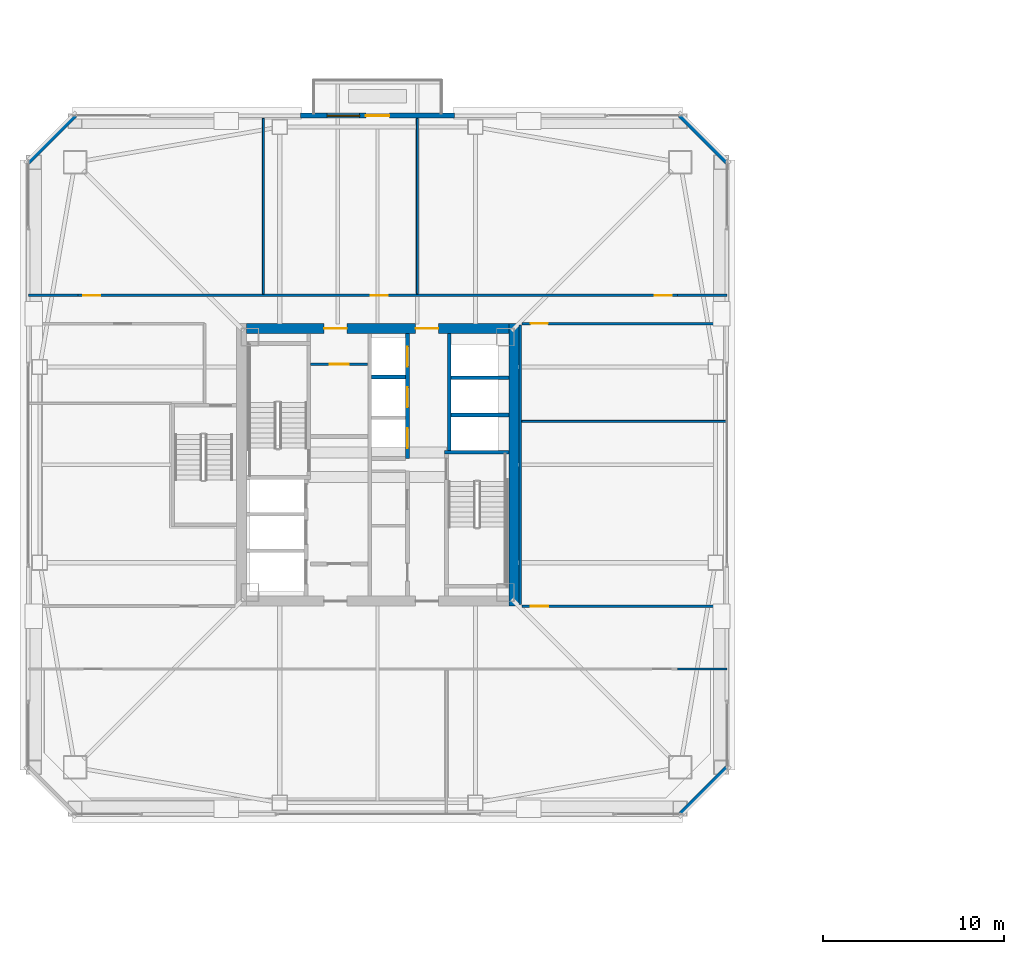
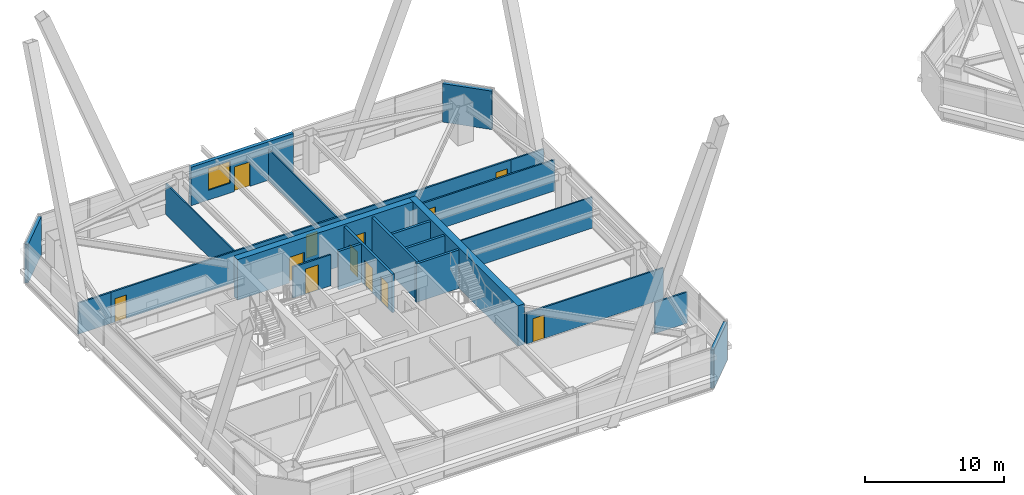
# One storey, part 45 of 54: 23 walls, 12 doors, 1 window, 13 openings.
"""IFC4 building model written with IfcOpenShell, lengths in metres."""

from ifc_helpers import new_model, si_unit, direction, frame, frame_2d, origin, place, context, subcontext, project, spatial, rectangle, extrude, material, layer, layer_set, type_object, element, fill, save


model = new_model("IFC4")

# Units and contexts
model_context = context("Model", 3, precision=1e-05, world=origin(), true_north=direction((0.0, 1.0)))
body_context = subcontext(model_context, "Body", "Model", "MODEL_VIEW")
ifc_project = project(units=[si_unit("LENGTHUNIT", "METRE"), si_unit("AREAUNIT", "SQUARE_METRE"), si_unit("VOLUMEUNIT", "CUBIC_METRE"), si_unit("PLANEANGLEUNIT", "RADIAN"), si_unit("MASSUNIT", "GRAM", prefix="KILO")], contexts=[model_context])

# Site, building, storey
site_placement = place(None, origin())
site = spatial("IfcSite", under=ifc_project, at=site_placement, CompositionType="ELEMENT")
building_placement = place(site_placement, origin())
building = spatial("IfcBuilding", under=site, at=building_placement, Name="Tashvorn Skyway Center", CompositionType="ELEMENT")
storey_placement = place(building_placement, frame((0.0, 0.0, 135.699951171875)))
storey = spatial("IfcBuildingStorey", under=building, at=storey_placement, Name="L36", CompositionType="ELEMENT", Elevation=135.699951171875)

# Wall
ifc_material_1 = material(Name="Concrete C60/75", Category="concrete")
ifc_layer_1 = layer(ifc_material_1, 0.550048828125)
ifc_layer_set_1 = layer_set([ifc_layer_1], Name="Concrete C60/75")
wall_type_1 = type_object("IfcWallType", Name="WALL-CORE-550", PredefinedType="SHEAR", material=ifc_layer_set_1)
wall_1_placement = place(storey_placement, frame((49.52490234375, 39.800048828125, 0.0), z_axis=(0.0, 0.0, 1.0), x_axis=(0.0, -1.0, 0.0)))
element("IfcWall", 1, at=wall_1_placement, inside=storey, type_object=wall_type_1, Name="Tower 1 L36 East Core Shear Wall", PredefinedType="SHEAR", context=body_context, shape_type="SweptSolid", body=[
    extrude(rectangle(XDim=15.60009765625, YDim=0.550048828125, at=frame_2d((7.800048828125, 0.0))), origin(), (0.0, 0.0, 1.0), 3.550048828125),
])

# Wall, openings, doors
wall_2_placement = place(storey_placement, frame((34.75, 39.52490234375, 0.0), z_axis=(0.0, 0.0, 1.0), x_axis=(1.0, 0.0, 0.0)))
wall_2 = element("IfcWall", 2, at=wall_2_placement, inside=storey, type_object=wall_type_1, Name="Tower 1 L36 North Core Shear Wall", PredefinedType="SHEAR", context=body_context, shape_type="SweptSolid", body=[
    extrude(rectangle(XDim=14.5, YDim=0.550048828125, at=frame_2d((7.25, 0.0))), origin(), (0.0, 0.0, 1.0), 3.550048828125),
])
opening_1_placement = place(wall_2_placement, frame((4.300048828125, 0.0, 0.0)))
opening_1 = element("IfcOpeningElement", 3, at=opening_1_placement, cuts=wall_2, Name="Opening D-FFL-1250", PredefinedType="OPENING", context=body_context, shape_type="SweptSolid", body=[
    extrude(rectangle(XDim=1.25, YDim=2.25, at=frame_2d((0.625, 1.125))), frame((0.0, 0.284912109375, 0.0), z_axis=(0.0, -1.0, 0.0), x_axis=(1.0, 0.0, 0.0)), (0.0, 0.0, 1.0), 0.570068359375),
])
opening_2_placement = place(wall_2_placement, frame((9.35009765625, 0.0, 0.0)))
opening_2 = element("IfcOpeningElement", 4, at=opening_2_placement, cuts=wall_2, Name="Opening D-FFL-1250", PredefinedType="OPENING", context=body_context, shape_type="SweptSolid", body=[
    extrude(rectangle(XDim=1.25, YDim=2.25, at=frame_2d((0.625, 1.125))), frame((0.0, 0.284912109375, 0.0), z_axis=(0.0, -1.0, 0.0), x_axis=(1.0, 0.0, 0.0)), (0.0, 0.0, 1.0), 0.570068359375),
])
ifc_material_2 = material(Name="Hollow galvanized steel fire door assembly", Category="steel")
door_type_1 = type_object("IfcDoorType", Name="DOOR-FFL-1250", OperationType="NOTDEFINED", PredefinedType="DOOR", material=ifc_material_2)
door_1_placement = place(opening_1_placement, origin())
door_1 = element("IfcDoor", 5, at=door_1_placement, inside=storey, type_object=door_type_1, Name="Tower 1 L36 Core North Service Lobby Door", OperationType="SINGLE_SWING_LEFT", OverallHeight=2.25, OverallWidth=1.25, PredefinedType="DOOR", context=body_context, shape_type="SweptSolid", body=[
    extrude(rectangle(XDim=1.25, YDim=2.25, at=frame_2d((0.625, 1.125))), frame((0.0, 0.02490234375, 0.0), z_axis=(0.0, -1.0, 0.0), x_axis=(1.0, 0.0, 0.0)), (0.0, 0.0, 1.0), 0.050048828125),
])
fill(opening_1, door_1)
door_2_placement = place(opening_2_placement, origin())
door_2 = element("IfcDoor", 6, at=door_2_placement, inside=storey, type_object=door_type_1, Name="Tower 1 L36 Core North Lift Lobby Door", OperationType="SINGLE_SWING_RIGHT", OverallHeight=2.25, OverallWidth=1.25, PredefinedType="DOOR", context=body_context, shape_type="SweptSolid", body=[
    extrude(rectangle(XDim=1.25, YDim=2.25, at=frame_2d((0.625, 1.125))), frame((0.0, 0.02490234375, 0.0), z_axis=(0.0, -1.0, 0.0), x_axis=(1.0, 0.0, 0.0)), (0.0, 0.0, 1.0), 0.050048828125),
])
fill(opening_2, door_2)

# Wall, openings, door, window
ifc_material_3 = material(Name="Precast concrete C40/50", Category="concrete")
ifc_layer_2 = layer(ifc_material_3, 0.280029296875)
ifc_layer_set_2 = layer_set([ifc_layer_2], Name="Precast concrete C40/50")
wall_type_2 = type_object("IfcWallType", Name="WALL-EXT-280", PredefinedType="SOLIDWALL", material=ifc_layer_set_2)
wall_3_placement = place(storey_placement, frame((37.75, 51.280029296875, 0.0), z_axis=(0.0, 0.0, 1.0), x_axis=(1.0, 0.0, 0.0)))
wall_3 = element("IfcWall", 7, at=wall_3_placement, inside=storey, type_object=wall_type_2, Name="Tower 1 L36 North Terrace Portal Wall", PredefinedType="SOLIDWALL", context=body_context, shape_type="SweptSolid", body=[
    extrude(rectangle(XDim=8.5, YDim=0.280029296875, at=frame_2d((4.25, 0.0))), origin(), (0.0, 0.0, 1.0), 3.3701171875),
])
opening_3_placement = place(wall_3_placement, frame((3.60009765625, 0.0, 0.0)))
opening_3 = element("IfcOpeningElement", 8, at=opening_3_placement, cuts=wall_3, Name="Opening D-TER-1300", PredefinedType="OPENING", context=body_context, shape_type="SweptSolid", body=[
    extrude(rectangle(XDim=1.300048828125, YDim=2.14990234375, at=frame_2d((0.64990234375, 1.074951171875))), frame((0.0, 0.14990234375, 0.0), z_axis=(0.0, -1.0, 0.0), x_axis=(1.0, 0.0, 0.0)), (0.0, 0.0, 1.0), 0.300048828125),
])
opening_4_placement = place(wall_3_placement, frame((1.4599609375, 0.0, 0.85009765625)))
opening_4 = element("IfcOpeningElement", 9, at=opening_4_placement, cuts=wall_3, Name="Opening WIN-1800", PredefinedType="OPENING", context=body_context, shape_type="SweptSolid", body=[
    extrude(rectangle(XDim=1.800048828125, YDim=1.919921875, at=frame_2d((0.89990234375, 0.9599609375))), frame((0.0, 0.14990234375, 0.0), z_axis=(0.0, -1.0, 0.0), x_axis=(1.0, 0.0, 0.0)), (0.0, 0.0, 1.0), 0.300048828125),
])
ifc_material_4 = material(Name="Thermally broken bronze-anodized aluminium 6063-T6", Category="aluminium")
door_type_2 = type_object("IfcDoorType", Name="DOOR-TERR-1300", OperationType="NOTDEFINED", PredefinedType="DOOR", material=ifc_material_4)
door_3_placement = place(opening_3_placement, origin())
door_3 = element("IfcDoor", 10, at=door_3_placement, inside=storey, type_object=door_type_2, Name="Tower 1 L36 Terrace Access Door", OperationType="SINGLE_SWING_RIGHT", OverallHeight=2.14990234375, OverallWidth=1.300048828125, PredefinedType="DOOR", context=body_context, shape_type="SweptSolid", body=[
    extrude(rectangle(XDim=1.300048828125, YDim=2.14990234375, at=frame_2d((0.64990234375, 1.074951171875))), frame((0.0, 0.02490234375, 0.0), z_axis=(0.0, -1.0, 0.0), x_axis=(1.0, 0.0, 0.0)), (0.0, 0.0, 1.0), 0.050048828125),
])
fill(opening_3, door_3)
ifc_material_5 = material(Name="Low-E solar-control double insulating safety glass", Category="glass")
window_type = type_object("IfcWindowType", Name="WIN-TERR-1800", PartitioningType="SINGLE_PANEL", PredefinedType="WINDOW", material=ifc_material_5)
window_placement = place(opening_4_placement, origin())
window = element("IfcWindow", 11, at=window_placement, inside=storey, type_object=window_type, Name="Tower 1 L36 Terrace Window", OverallHeight=1.919921875, OverallWidth=1.800048828125, PartitioningType="SINGLE_PANEL", PredefinedType="WINDOW", context=body_context, shape_type="SweptSolid", body=[
    extrude(rectangle(XDim=1.800048828125, YDim=1.919921875, at=frame_2d((0.89990234375, 0.9599609375))), frame((0.0, 0.030029296875, 0.0), z_axis=(0.0, -1.0, 0.0), x_axis=(1.0, 0.0, 0.0)), (0.0, 0.0, 1.0), 0.06005859375),
])
fill(opening_4, window)

# Walls
for number, where, z_axis, x_axis, name in (
    (12, (22.699951171875, 48.699951171875, 0.0), (0.0, 0.0, 1.0), (0.707106781187, 0.707106781187, 0.0), "Tower 1 L36 NW Precast Chamfer Wall"),
    (13, (58.699951171875, 51.300048828125, 0.0), (0.0, 0.0, 1.0), (0.707106781187, -0.707106781187, 0.0), "Tower 1 L36 NE Precast Chamfer Wall"),
    (14, (61.300048828125, 15.300048828125, 0.0), (0.0, 0.0, 1.0), (-0.707106781187, -0.707106781187, 0.0), "Tower 1 L36 SE Precast Chamfer Wall"),
):
    element("IfcWall", number, at=place(storey_placement, frame(where, z_axis=z_axis, x_axis=x_axis)), inside=storey, type_object=wall_type_2, Name=name, PredefinedType="SOLIDWALL", context=body_context, shape_type="SweptSolid", body=[
        extrude(rectangle(XDim=3.677001953125, YDim=0.280029296875, at=frame_2d((1.83837890625, 0.0))), origin(), (0.0, 0.0, 1.0), 3.3701171875),
    ])
ifc_material_6 = material(Name="Gypsum board on cold-formed steel stud framing", Category="steel")
ifc_layer_3 = layer(ifc_material_6, 0.110107421875)
ifc_layer_set_3 = layer_set([ifc_layer_3], Name="Gypsum board on cold-formed steel stud framing")
wall_type_3 = type_object("IfcWallType", Name="WALL-PART-110", PredefinedType="PARTITIONING", material=ifc_layer_set_3)
for number, where, z_axis, x_axis, name in (
    (15, (35.699951171875, 41.429931640625, 0.0), (0.0, 0.0, 1.0), (0.0, 1.0, 0.0), "Tower 1 L36 North Suite Partition 1"),
    (16, (44.199951171875, 41.429931640625, 0.0), (0.0, 0.0, 1.0), (0.0, 1.0, 0.0), "Tower 1 L36 North Suite Partition 2"),
):
    element("IfcWall", number, at=place(storey_placement, frame(where, z_axis=z_axis, x_axis=x_axis)), inside=storey, type_object=wall_type_3, Name=name, PredefinedType="PARTITIONING", context=body_context, shape_type="SweptSolid", body=[
        extrude(rectangle(XDim=9.699951171875, YDim=0.110107421875, at=frame_2d((4.85009765625, 0.0))), origin(), (0.0, 0.0, 1.0), 2.72314453125),
    ])
wall_4_placement = place(storey_placement, frame((49.9599609375, 34.39990234375, 0.0), z_axis=(0.0, 0.0, 1.0), x_axis=(1.0, 0.0, 0.0)))
element("IfcWall", 17, at=wall_4_placement, inside=storey, type_object=wall_type_3, Name="Tower 1 L36 East Mid Partition", PredefinedType="PARTITIONING", context=body_context, shape_type="SweptSolid", body=[
    extrude(rectangle(XDim=11.320068359375, YDim=0.110107421875, at=frame_2d((5.66015625, 0.0))), origin(), (0.0, 0.0, 1.0), 2.72314453125),
])

# Wall, openings, doors
ifc_layer_4 = layer(ifc_material_6, 0.135009765625)
ifc_layer_set_4 = layer_set([ifc_layer_4], Name="Gypsum board on cold-formed steel stud framing")
wall_type_4 = type_object("IfcWallType", Name="WALL-PART-135", PredefinedType="PARTITIONING", material=ifc_layer_set_4)
wall_5_placement = place(storey_placement, frame((25.449951171875, 41.35009765625, 0.0), z_axis=(0.0, 0.0, 1.0), x_axis=(1.0, 0.0, 0.0)))
wall_5 = element("IfcWall", 18, at=wall_5_placement, inside=storey, type_object=wall_type_4, Name="Tower 1 L36 North Suite Wall", PredefinedType="PARTITIONING", context=body_context, shape_type="SweptSolid", body=[
    extrude(rectangle(XDim=33.10009765625, YDim=0.135009765625, at=frame_2d((16.550048828125, 0.0))), origin(), (0.0, 0.0, 1.0), 2.72314453125),
])
opening_5_placement = place(wall_5_placement, frame((0.300048828125, 0.0, 0.0)))
opening_5 = element("IfcOpeningElement", 19, at=opening_5_placement, cuts=wall_5, Name="Opening D-INT-950", PredefinedType="OPENING", context=body_context, shape_type="SweptSolid", body=[
    extrude(rectangle(XDim=0.949951171875, YDim=2.050048828125, at=frame_2d((0.47509765625, 1.02490234375))), frame((0.0, 0.077392578125, 0.0), z_axis=(0.0, -1.0, 0.0), x_axis=(1.0, 0.0, 0.0)), (0.0, 0.0, 1.0), 0.155029296875),
])
opening_6_placement = place(wall_5_placement, frame((16.16259765625, 0.0, 0.0)))
opening_6 = element("IfcOpeningElement", 20, at=opening_6_placement, cuts=wall_5, Name="Opening D-INT-950", PredefinedType="OPENING", context=body_context, shape_type="SweptSolid", body=[
    extrude(rectangle(XDim=0.949951171875, YDim=2.050048828125, at=frame_2d((0.47509765625, 1.02490234375))), frame((0.0, 0.077392578125, 0.0), z_axis=(0.0, -1.0, 0.0), x_axis=(1.0, 0.0, 0.0)), (0.0, 0.0, 1.0), 0.155029296875),
])
opening_7_placement = place(wall_5_placement, frame((31.85009765625, 0.0, 0.0)))
opening_7 = element("IfcOpeningElement", 21, at=opening_7_placement, cuts=wall_5, Name="Opening D-INT-950", PredefinedType="OPENING", context=body_context, shape_type="SweptSolid", body=[
    extrude(rectangle(XDim=0.949951171875, YDim=2.050048828125, at=frame_2d((0.47509765625, 1.02490234375))), frame((0.0, 0.077392578125, 0.0), z_axis=(0.0, -1.0, 0.0), x_axis=(1.0, 0.0, 0.0)), (0.0, 0.0, 1.0), 0.155029296875),
])
ifc_material_7 = material(Name="Solid-core architectural oak veneer door")
door_type_3 = type_object("IfcDoorType", Name="DOOR-INT-950", OperationType="NOTDEFINED", PredefinedType="DOOR", material=ifc_material_7)
door_4_placement = place(opening_5_placement, origin())
door_4 = element("IfcDoor", 22, at=door_4_placement, inside=storey, type_object=door_type_3, Name="Tower 1 L36 Executive Study Lounge Door", OperationType="SINGLE_SWING_LEFT", OverallHeight=2.050048828125, OverallWidth=0.949951171875, PredefinedType="DOOR", context=body_context, shape_type="SweptSolid", body=[
    extrude(rectangle(XDim=0.949951171875, YDim=2.050048828125, at=frame_2d((0.47509765625, 1.02490234375))), frame((0.0, 0.02490234375, 0.0), z_axis=(0.0, -1.0, 0.0), x_axis=(1.0, 0.0, 0.0)), (0.0, 0.0, 1.0), 0.050048828125),
])
fill(opening_5, door_4)
door_5_placement = place(opening_6_placement, origin())
door_5 = element("IfcDoor", 23, at=door_5_placement, inside=storey, type_object=door_type_3, Name="Tower 1 L36 Executive Study Lounge Door", OperationType="SINGLE_SWING_RIGHT", OverallHeight=2.050048828125, OverallWidth=0.949951171875, PredefinedType="DOOR", context=body_context, shape_type="SweptSolid", body=[
    extrude(rectangle(XDim=0.949951171875, YDim=2.050048828125, at=frame_2d((0.47509765625, 1.02490234375))), frame((0.0, 0.02490234375, 0.0), z_axis=(0.0, -1.0, 0.0), x_axis=(1.0, 0.0, 0.0)), (0.0, 0.0, 1.0), 0.050048828125),
])
fill(opening_6, door_5)
door_6_placement = place(opening_7_placement, origin())
door_6 = element("IfcDoor", 24, at=door_6_placement, inside=storey, type_object=door_type_3, Name="Tower 1 L36 Reading Lounge Door", OperationType="SINGLE_SWING_LEFT", OverallHeight=2.050048828125, OverallWidth=0.949951171875, PredefinedType="DOOR", context=body_context, shape_type="SweptSolid", body=[
    extrude(rectangle(XDim=0.949951171875, YDim=2.050048828125, at=frame_2d((0.47509765625, 1.02490234375))), frame((0.0, 0.02490234375, 0.0), z_axis=(0.0, -1.0, 0.0), x_axis=(1.0, 0.0, 0.0)), (0.0, 0.0, 1.0), 0.050048828125),
])
fill(opening_7, door_6)

# Walls
for number, where, z_axis, x_axis, name in (
    (25, (22.719970703125, 41.35009765625, 0.0), (0.0, 0.0, 1.0), (1.0, 0.0, 0.0), "Tower 1 L36 North-West Suite South Wall"),
    (26, (58.550048828125, 41.35009765625, 0.0), (0.0, 0.0, 1.0), (1.0, 0.0, 0.0), "Tower 1 L36 North-East Suite South Wall"),
    (27, (58.550048828125, 20.72998046875, 0.0), (0.0, 0.0, 1.0), (1.0, 0.0, 0.0), "Tower 1 L36 South-East Suite North Wall"),
):
    element("IfcWall", number, at=place(storey_placement, frame(where, z_axis=z_axis, x_axis=x_axis)), inside=storey, type_object=wall_type_4, Name=name, PredefinedType="PARTITIONING", context=body_context, shape_type="SweptSolid", body=[
        extrude(rectangle(XDim=2.72998046875, YDim=0.135009765625, at=frame_2d((1.364990234375, 0.0))), origin(), (0.0, 0.0, 1.0), 2.72314453125),
    ])
wall_6_placement = place(storey_placement, frame((49.8798828125, 39.719970703125, 0.0), z_axis=(0.0, 0.0, 1.0), x_axis=(0.0, -1.0, 0.0)))
element("IfcWall", 28, at=wall_6_placement, inside=storey, type_object=wall_type_4, Name="Tower 1 L36 East Inner Suite Wall", PredefinedType="PARTITIONING", context=body_context, shape_type="SweptSolid", body=[
    extrude(rectangle(XDim=15.43994140625, YDim=0.135009765625, at=frame_2d((7.719970703125, 0.0))), origin(), (0.0, 0.0, 1.0), 2.72314453125),
])

# Wall, opening, door
wall_7_placement = place(storey_placement, frame((61.280029296875, 39.800048828125, 0.0), z_axis=(0.0, 0.0, 1.0), x_axis=(-1.0, 0.0, 0.0)))
wall_7 = element("IfcWall", 29, at=wall_7_placement, inside=storey, type_object=wall_type_4, Name="Tower 1 L36 East Suite North Wall", PredefinedType="PARTITIONING", context=body_context, shape_type="SweptSolid", body=[
    extrude(rectangle(XDim=11.320068359375, YDim=0.135009765625, at=frame_2d((5.66015625, 0.0))), origin(), (0.0, 0.0, 1.0), 2.72314453125),
])
opening_8_placement = place(wall_7_placement, frame((9.8798828125, 0.0, 0.0)))
opening_8 = element("IfcOpeningElement", 30, at=opening_8_placement, cuts=wall_7, Name="Opening D-INT-950", PredefinedType="OPENING", context=body_context, shape_type="SweptSolid", body=[
    extrude(rectangle(XDim=0.949951171875, YDim=2.050048828125, at=frame_2d((0.47509765625, 1.02490234375))), frame((0.0, 0.077392578125, 0.0), z_axis=(0.0, -1.0, 0.0), x_axis=(1.0, 0.0, 0.0)), (0.0, 0.0, 1.0), 0.155029296875),
])
door_7_placement = place(opening_8_placement, origin())
door_7 = element("IfcDoor", 31, at=door_7_placement, inside=storey, type_object=door_type_3, Name="Tower 1 L36 Open Plan Office Door", OperationType="SINGLE_SWING_RIGHT", OverallHeight=2.050048828125, OverallWidth=0.949951171875, PredefinedType="DOOR", context=body_context, shape_type="SweptSolid", body=[
    extrude(rectangle(XDim=0.949951171875, YDim=2.050048828125, at=frame_2d((0.47509765625, 1.02490234375))), frame((0.0, 0.02490234375, 0.0), z_axis=(0.0, -1.0, 0.0), x_axis=(1.0, 0.0, 0.0)), (0.0, 0.0, 1.0), 0.050048828125),
])
fill(opening_8, door_7)

wall_8_placement = place(storey_placement, frame((49.9599609375, 24.199951171875, 0.0), z_axis=(0.0, 0.0, 1.0), x_axis=(1.0, 0.0, 0.0)))
wall_8 = element("IfcWall", 32, at=wall_8_placement, inside=storey, type_object=wall_type_4, Name="Tower 1 L36 East Suite South Wall", PredefinedType="PARTITIONING", context=body_context, shape_type="SweptSolid", body=[
    extrude(rectangle(XDim=11.320068359375, YDim=0.135009765625, at=frame_2d((5.66015625, 0.0))), origin(), (0.0, 0.0, 1.0), 2.72314453125),
])
opening_9_placement = place(wall_8_placement, frame((0.5, 0.0, 0.0)))
opening_9 = element("IfcOpeningElement", 33, at=opening_9_placement, cuts=wall_8, Name="Opening D-INT-950", PredefinedType="OPENING", context=body_context, shape_type="SweptSolid", body=[
    extrude(rectangle(XDim=0.949951171875, YDim=2.050048828125, at=frame_2d((0.47509765625, 1.02490234375))), frame((0.0, 0.077392578125, 0.0), z_axis=(0.0, -1.0, 0.0), x_axis=(1.0, 0.0, 0.0)), (0.0, 0.0, 1.0), 0.155029296875),
])
door_8_placement = place(opening_9_placement, origin())
door_8 = element("IfcDoor", 34, at=door_8_placement, inside=storey, type_object=door_type_3, Name="Tower 1 L36 Public Restroom Door", OperationType="SINGLE_SWING_LEFT", OverallHeight=2.050048828125, OverallWidth=0.949951171875, PredefinedType="DOOR", context=body_context, shape_type="SweptSolid", body=[
    extrude(rectangle(XDim=0.949951171875, YDim=2.050048828125, at=frame_2d((0.47509765625, 1.02490234375))), frame((0.0, 0.02490234375, 0.0), z_axis=(0.0, -1.0, 0.0), x_axis=(1.0, 0.0, 0.0)), (0.0, 0.0, 1.0), 0.050048828125),
])
fill(opening_9, door_8)

ifc_layer_5 = layer(ifc_material_6, 0.135009765625)
ifc_layer_set_5 = layer_set([ifc_layer_5], Name="Gypsum board on cold-formed steel stud framing")
wall_type_5 = type_object("IfcWallType", Name="WALL-RATED-135", PredefinedType="PARTITIONING", material=ifc_layer_set_5)
wall_9_placement = place(storey_placement, frame((38.300048828125, 37.550048828125, 0.0), z_axis=(0.0, 0.0, 1.0), x_axis=(1.0, 0.0, 0.0)))
wall_9 = element("IfcWall", 35, at=wall_9_placement, inside=storey, type_object=wall_type_5, Name="Tower 1 L36 Core Service Lobby Wall", PredefinedType="PARTITIONING", context=body_context, shape_type="SweptSolid", body=[
    extrude(rectangle(XDim=3.14990234375, YDim=0.135009765625, at=frame_2d((1.574951171875, 0.0))), origin(), (0.0, 0.0, 1.0), 2.72314453125),
])
opening_10_placement = place(wall_9_placement, frame((1.050048828125, 0.0, 0.0)))
opening_10 = element("IfcOpeningElement", 36, at=opening_10_placement, cuts=wall_9, Name="Opening D-RT-1050", PredefinedType="OPENING", context=body_context, shape_type="SweptSolid", body=[
    extrude(rectangle(XDim=1.050048828125, YDim=2.199951171875, at=frame_2d((0.52490234375, 1.10009765625))), frame((0.0, 0.077392578125, 0.0), z_axis=(0.0, -1.0, 0.0), x_axis=(1.0, 0.0, 0.0)), (0.0, 0.0, 1.0), 0.155029296875),
])
door_type_4 = type_object("IfcDoorType", Name="DOOR-RATED-1050", OperationType="NOTDEFINED", PredefinedType="DOOR", material=ifc_material_2)
door_9_placement = place(opening_10_placement, origin())
door_9 = element("IfcDoor", 37, at=door_9_placement, inside=storey, type_object=door_type_4, Name="Tower 1 L36 Core Accessible WC Door", OperationType="SINGLE_SWING_LEFT", OverallHeight=2.199951171875, OverallWidth=1.050048828125, PredefinedType="DOOR", context=body_context, shape_type="SweptSolid", body=[
    extrude(rectangle(XDim=1.050048828125, YDim=2.199951171875, at=frame_2d((0.52490234375, 1.10009765625))), frame((0.0, 0.02490234375, 0.0), z_axis=(0.0, -1.0, 0.0), x_axis=(1.0, 0.0, 0.0)), (0.0, 0.0, 1.0), 0.050048828125),
])
fill(opening_10, door_9)

# Walls
ifc_material_8 = material(Name="Concrete C40/50", Category="concrete")
ifc_layer_6 = layer(ifc_material_8, 0.199951171875)
ifc_layer_set_6 = layer_set([ifc_layer_6], Name="Concrete C40/50")
wall_type_6 = type_object("IfcWallType", Name="WALL-SHAFT-200", PredefinedType="SOLIDWALL", material=ifc_layer_set_6)
for number, where, z_axis, x_axis, name in (
    (38, (46.050048828125, 34.75, 0.0), (0.0, 0.0, 1.0), (1.0, 0.0, 0.0), "Tower 1 L36 High-Rise Shaft Divider"),
    (39, (46.050048828125, 36.800048828125, 0.0), (0.0, 0.0, 1.0), (1.0, 0.0, 0.0), "Tower 1 L36 High-Rise Shaft Divider"),
):
    element("IfcWall", number, at=place(storey_placement, frame(where, z_axis=z_axis, x_axis=x_axis)), inside=storey, type_object=wall_type_6, Name=name, PredefinedType="SOLIDWALL", context=body_context, shape_type="SweptSolid", body=[
        extrude(rectangle(XDim=3.199951171875, YDim=0.199951171875, at=frame_2d((1.60009765625, 0.0))), origin(), (0.0, 0.0, 1.0), 3.3701171875),
    ])

# Wall, openings, doors
wall_10_placement = place(storey_placement, frame((43.64990234375, 32.35009765625, 0.0), z_axis=(0.0, 0.0, 1.0), x_axis=(0.0, 1.0, 0.0)))
wall_10 = element("IfcWall", 40, at=wall_10_placement, inside=storey, type_object=wall_type_6, Name="Tower 1 L36 Mid-Rise Core Wall", PredefinedType="SOLIDWALL", context=body_context, shape_type="SweptSolid", body=[
    extrude(rectangle(XDim=6.89990234375, YDim=0.199951171875, at=frame_2d((3.449951171875, 0.0))), origin(), (0.0, 0.0, 1.0), 3.3701171875),
])
opening_11_placement = place(wall_10_placement, frame((0.574951171875, 0.0, 0.0)))
opening_11 = element("IfcOpeningElement", 41, at=opening_11_placement, cuts=wall_10, Name="Opening LD-MR-T1-1-L36", PredefinedType="OPENING", context=body_context, shape_type="SweptSolid", body=[
    extrude(rectangle(XDim=1.10009765625, YDim=2.199951171875, at=frame_2d((0.550048828125, 1.10009765625))), frame((0.0, 0.10986328125, 0.0), z_axis=(0.0, -1.0, 0.0), x_axis=(1.0, 0.0, 0.0)), (0.0, 0.0, 1.0), 0.219970703125),
])
opening_12_placement = place(wall_10_placement, frame((2.824951171875, 0.0, 0.0)))
opening_12 = element("IfcOpeningElement", 42, at=opening_12_placement, cuts=wall_10, Name="Opening LD-MR-T1-2-L36", PredefinedType="OPENING", context=body_context, shape_type="SweptSolid", body=[
    extrude(rectangle(XDim=1.10009765625, YDim=2.199951171875, at=frame_2d((0.550048828125, 1.10009765625))), frame((0.0, 0.10986328125, 0.0), z_axis=(0.0, -1.0, 0.0), x_axis=(1.0, 0.0, 0.0)), (0.0, 0.0, 1.0), 0.219970703125),
])
opening_13_placement = place(wall_10_placement, frame((5.074951171875, 0.0, 0.0)))
opening_13 = element("IfcOpeningElement", 43, at=opening_13_placement, cuts=wall_10, Name="Opening LD-MR-T1-3-L36", PredefinedType="OPENING", context=body_context, shape_type="SweptSolid", body=[
    extrude(rectangle(XDim=1.10009765625, YDim=2.199951171875, at=frame_2d((0.550048828125, 1.10009765625))), frame((0.0, 0.10986328125, 0.0), z_axis=(0.0, -1.0, 0.0), x_axis=(1.0, 0.0, 0.0)), (0.0, 0.0, 1.0), 0.219970703125),
])
ifc_material_9 = material(Name="Stainless steel landing door", Category="steel")
door_type_5 = type_object("IfcDoorType", Name="DOOR-LIFT-1100", OperationType="SLIDING_TO_LEFT", PredefinedType="DOOR", material=ifc_material_9)
door_10_placement = place(opening_11_placement, origin())
door_10 = element("IfcDoor", 44, at=door_10_placement, inside=storey, type_object=door_type_5, Name="Lift MR-T1-1 L36 Landing Door", OperationType="SLIDING_TO_LEFT", OverallHeight=2.199951171875, OverallWidth=1.10009765625, PredefinedType="DOOR", context=body_context, shape_type="SweptSolid", body=[
    extrude(rectangle(XDim=1.10009765625, YDim=2.199951171875, at=frame_2d((0.550048828125, 1.10009765625))), frame((0.0, 0.02490234375, 0.0), z_axis=(0.0, -1.0, 0.0), x_axis=(1.0, 0.0, 0.0)), (0.0, 0.0, 1.0), 0.050048828125),
])
fill(opening_11, door_10)
door_11_placement = place(opening_12_placement, origin())
door_11 = element("IfcDoor", 45, at=door_11_placement, inside=storey, type_object=door_type_5, Name="Lift MR-T1-2 L36 Landing Door", OperationType="SLIDING_TO_LEFT", OverallHeight=2.199951171875, OverallWidth=1.10009765625, PredefinedType="DOOR", context=body_context, shape_type="SweptSolid", body=[
    extrude(rectangle(XDim=1.10009765625, YDim=2.199951171875, at=frame_2d((0.550048828125, 1.10009765625))), frame((0.0, 0.02490234375, 0.0), z_axis=(0.0, -1.0, 0.0), x_axis=(1.0, 0.0, 0.0)), (0.0, 0.0, 1.0), 0.050048828125),
])
fill(opening_12, door_11)
door_12_placement = place(opening_13_placement, origin())
door_12 = element("IfcDoor", 46, at=door_12_placement, inside=storey, type_object=door_type_5, Name="Lift MR-T1-3 L36 Landing Door", OperationType="SLIDING_TO_LEFT", OverallHeight=2.199951171875, OverallWidth=1.10009765625, PredefinedType="DOOR", context=body_context, shape_type="SweptSolid", body=[
    extrude(rectangle(XDim=1.10009765625, YDim=2.199951171875, at=frame_2d((0.550048828125, 1.10009765625))), frame((0.0, 0.02490234375, 0.0), z_axis=(0.0, -1.0, 0.0), x_axis=(1.0, 0.0, 0.0)), (0.0, 0.0, 1.0), 0.050048828125),
])
fill(opening_13, door_12)

# Walls
wall_11_placement = place(storey_placement, frame((41.669921875, 36.85009765625, 0.0), z_axis=(0.0, 0.0, 1.0), x_axis=(1.0, 0.0, 0.0)))
element("IfcWall", 47, at=wall_11_placement, inside=storey, type_object=wall_type_6, Name="Tower 1 L36 Mid-Rise Shaft Divider", PredefinedType="SOLIDWALL", context=body_context, shape_type="SweptSolid", body=[
    extrude(rectangle(XDim=1.880126953125, YDim=0.199951171875, at=frame_2d((0.93994140625, 0.0))), origin(), (0.0, 0.0, 1.0), 3.3701171875),
])
ifc_layer_7 = layer(ifc_material_8, 0.199951171875)
ifc_layer_set_7 = layer_set([ifc_layer_7], Name="Concrete C40/50")
wall_type_7 = type_object("IfcWallType", Name="WALL-STSHF-200", PredefinedType="SHEAR", material=ifc_layer_set_7)
wall_12_placement = place(storey_placement, frame((45.699951171875, 32.699951171875, 0.0), z_axis=(0.0, 0.0, 1.0), x_axis=(1.0, 0.0, 0.0)))
element("IfcWall", 48, at=wall_12_placement, inside=storey, type_object=wall_type_7, Name="Tower 1 L36 Stair 2 North Wall", PredefinedType="SHEAR", context=body_context, shape_type="SweptSolid", body=[
    extrude(rectangle(XDim=3.550048828125, YDim=0.199951171875, at=frame_2d((1.77490234375, 0.0))), origin(), (0.0, 0.0, 1.0), 3.3701171875),
])
wall_13_placement = place(storey_placement, frame((45.949951171875, 39.25, 0.0), z_axis=(0.0, 0.0, 1.0), x_axis=(0.0, -1.0, 0.0)))
element("IfcWall", 49, at=wall_13_placement, inside=storey, type_object=wall_type_7, Name="Tower 1 L36 High-Rise Lift Shaft Front Wall", PredefinedType="SHEAR", context=body_context, shape_type="SweptSolid", body=[
    extrude(rectangle(XDim=6.449951171875, YDim=0.199951171875, at=frame_2d((3.22509765625, 0.0))), origin(), (0.0, 0.0, 1.0), 3.3701171875),
])

save(model, "model.ifc")
